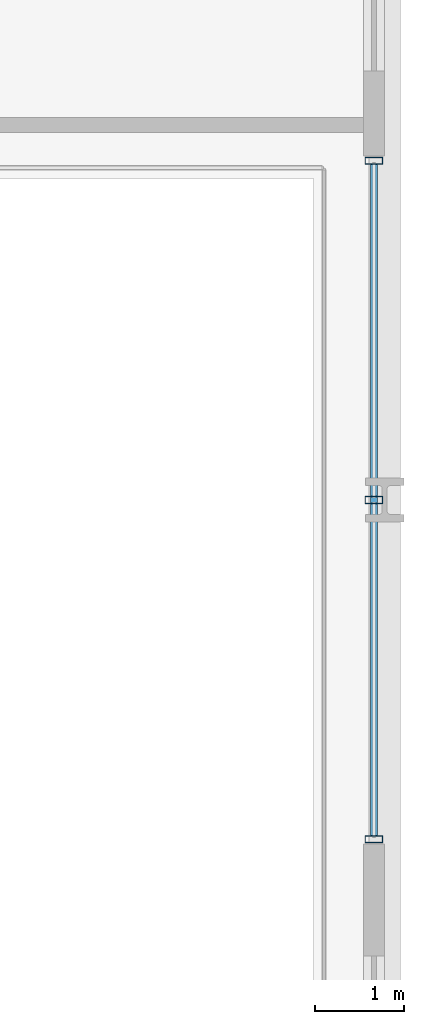
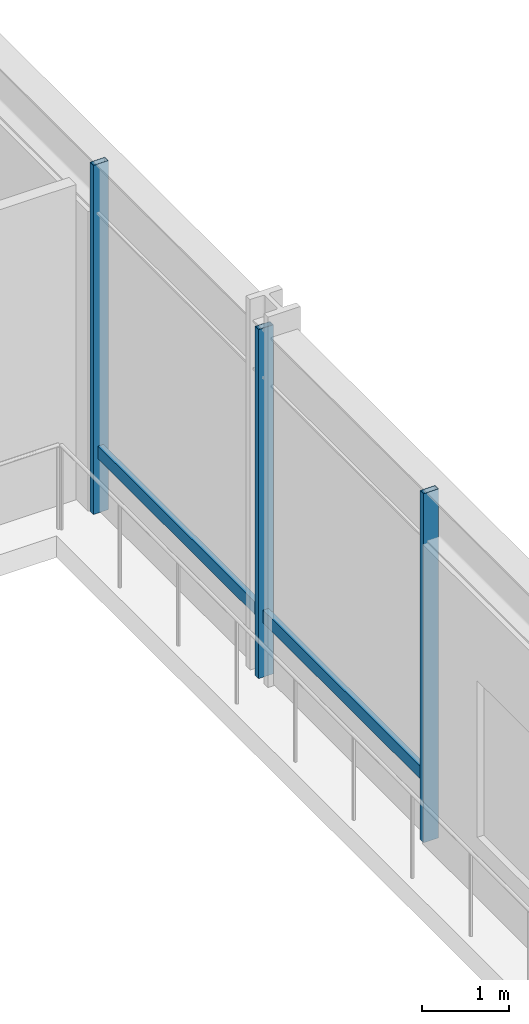
# One storey, part 9 of 19: 4 members, 1 element without a shape of its own.
"""IFC4 building model written with IfcOpenShell, lengths in metres."""

from ifc_helpers import new_model, si_unit, direction, frame, origin, origin_2d, place, context, subcontext, project, spatial, hollow_rectangle, extrude, material, layer, layer_set, material_profile, profile_set, type_object, element, aggregate, save


model = new_model("IFC4")

# Units and contexts
model_context = context("Model", 3, precision=1e-05, world=origin(), true_north=direction((0.0, 1.0)))
body_context = subcontext(model_context, "Body", "Model", "MODEL_VIEW")
ifc_project = project(units=[si_unit("LENGTHUNIT", "METRE"), si_unit("AREAUNIT", "SQUARE_METRE"), si_unit("VOLUMEUNIT", "CUBIC_METRE"), si_unit("PLANEANGLEUNIT", "RADIAN"), si_unit("MASSUNIT", "GRAM", prefix="KILO")], contexts=[model_context])

# Site, building, storey
site_placement = place(None, origin())
site = spatial("IfcSite", under=ifc_project, at=site_placement, CompositionType="ELEMENT")
building_placement = place(site_placement, origin())
building = spatial("IfcBuilding", under=site, at=building_placement, Name="Drelvath Grand Hotel", CompositionType="ELEMENT")
storey_placement = place(building_placement, frame((0.0, 0.0, 17.199951171875)))
storey = spatial("IfcBuildingStorey", under=building, at=storey_placement, Name="L03", CompositionType="ELEMENT", Elevation=17.199951171875)

# Curtain wall, members
ifc_material = material(Name="Dark Bronze Anodised Aluminium Frame", Category="aluminium")
ifc_layer = layer(ifc_material, 0.199951171875)
ifc_layer_set = layer_set([ifc_layer], Name="Dark Bronze Anodised Aluminium Frame")
curtain_wall_type = type_object("IfcCurtainWallType", Name="Stick Curtain Wall CW-01 Dark Bronze Podium", PredefinedType="NOTDEFINED", material=ifc_layer_set)
curtain_wall_placement = place(storey_placement, origin())
curtain_wall = element("IfcCurtainWall", 1, at=curtain_wall_placement, inside=storey, type_object=curtain_wall_type, Name="L03 CW-01 Curtain Wall CW01-L03-EA2", PredefinedType="NOTDEFINED")
ifc_material_profile_1 = material_profile(ifc_material, hollow_rectangle(XDim=0.074951171875, YDim=0.179931640625, WallThickness=0.0048828125, at=origin_2d()), Name="HSS180X75X5")
ifc_profile_set_1 = profile_set([ifc_material_profile_1], Name="Dark Bronze Anodised Aluminium Frame")
member_type_1 = type_object("IfcMemberType", Name="Curtain Wall Horizontal Transom CW-01 HSS180X75X5", PredefinedType="USERDEFINED", material=ifc_profile_set_1)
member_1_placement = place(storey_placement, frame((38.8798828125, 39.159912109375, 0.85009765625), z_axis=(0.0, -1.0, 0.0), x_axis=(1.0, 0.0, 0.0)))
member_1 = element("IfcMember", 2, at=member_1_placement, type_object=member_type_1, Name="CW01-L03-EA2 Sill Transom", ObjectType="TRANSOM", PredefinedType="USERDEFINED", context=body_context, shape_type="SweptSolid", body=[
    extrude(hollow_rectangle(XDim=0.074951171875, YDim=0.179931640625, WallThickness=0.0048828125, at=origin_2d()), origin(), (0.0, 0.0, 1.0), 7.52001953125),
])
ifc_material_profile_2 = material_profile(ifc_material, hollow_rectangle(XDim=0.080078125, YDim=0.199951171875, WallThickness=0.0048828125, at=origin_2d()), Name="HSS200X80X5")
ifc_profile_set_2 = profile_set([ifc_material_profile_2], Name="Dark Bronze Anodised Aluminium Frame")
member_type_2 = type_object("IfcMemberType", Name="Curtain Wall Vertical Mullion CW-01 HSS200X80X5", PredefinedType="MULLION", material=ifc_profile_set_2)
member_2_placement = place(storey_placement, frame((38.8798828125, 39.199951171875, 0.0), z_axis=(0.0, 0.0, 1.0), x_axis=(0.0, 1.0, 0.0)))
member_2 = element("IfcMember", 3, at=member_2_placement, type_object=member_type_2, Name="CW01-L03-EA2 Mullion 1", PredefinedType="MULLION", context=body_context, shape_type="SweptSolid", body=[
    extrude(hollow_rectangle(XDim=0.080078125, YDim=0.199951171875, WallThickness=0.0048828125, at=origin_2d()), origin(), (0.0, 0.0, 1.0), 4.900146484375),
])
member_3_placement = place(storey_placement, frame((38.8798828125, 35.39990234375, 0.0), z_axis=(0.0, 0.0, 1.0), x_axis=(0.0, 1.0, 0.0)))
member_3 = element("IfcMember", 4, at=member_3_placement, type_object=member_type_2, Name="CW01-L03-EA2 Mullion 2", PredefinedType="MULLION", context=body_context, shape_type="SweptSolid", body=[
    extrude(hollow_rectangle(XDim=0.080078125, YDim=0.199951171875, WallThickness=0.0048828125, at=origin_2d()), origin(), (0.0, 0.0, 1.0), 4.900146484375),
])
member_4_placement = place(storey_placement, frame((38.8798828125, 31.60009765625, 0.0), z_axis=(0.0, 0.0, 1.0), x_axis=(0.0, 1.0, 0.0)))
member_4 = element("IfcMember", 5, at=member_4_placement, type_object=member_type_2, Name="CW01-L03-EA2 Mullion 3", PredefinedType="MULLION", context=body_context, shape_type="SweptSolid", body=[
    extrude(hollow_rectangle(XDim=0.080078125, YDim=0.199951171875, WallThickness=0.0048828125, at=origin_2d()), origin(), (0.0, 0.0, 1.0), 4.900146484375),
])
aggregate(curtain_wall, [member_2, member_3, member_4, member_1])

save(model, "model.ifc")
